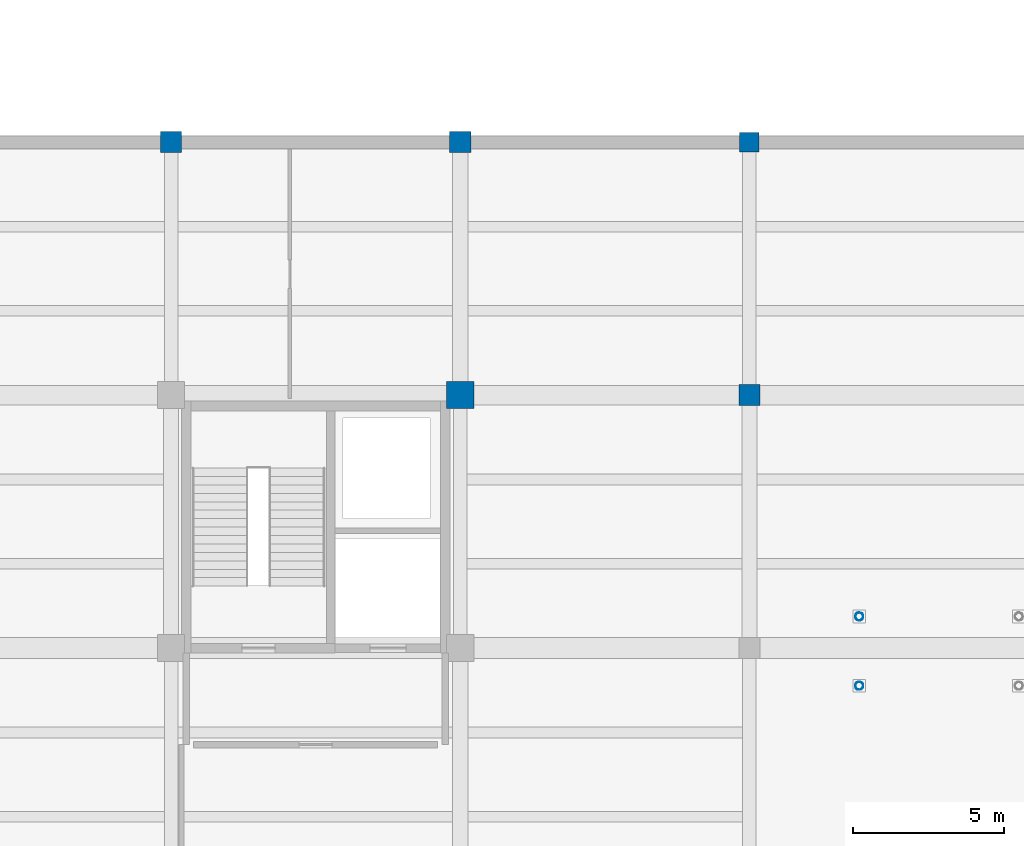
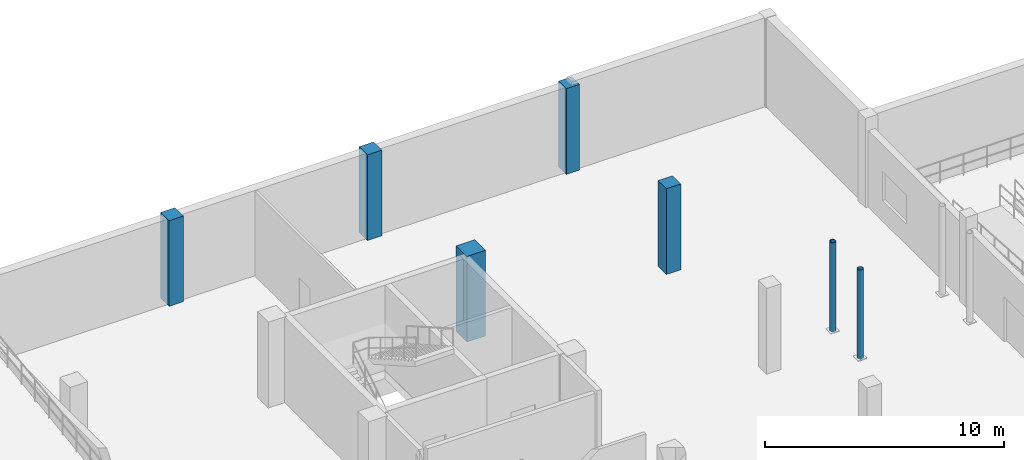
# One storey, part 3 of 30: 7 columns.
"""IFC4 building model written with IfcOpenShell, lengths in metres."""

from ifc_helpers import new_model, si_unit, direction, frame, origin, origin_2d, place, context, subcontext, project, spatial, rectangle, hollow_circle, extrude, material, material_profile, profile_set, type_object, element, save


model = new_model("IFC4")

# Units and contexts
model_context = context("Model", 3, precision=1e-05, world=origin(), true_north=direction((0.0, 1.0)))
body_context = subcontext(model_context, "Body", "Model", "MODEL_VIEW")
ifc_project = project(units=[si_unit("LENGTHUNIT", "METRE"), si_unit("AREAUNIT", "SQUARE_METRE"), si_unit("VOLUMEUNIT", "CUBIC_METRE"), si_unit("PLANEANGLEUNIT", "RADIAN"), si_unit("MASSUNIT", "GRAM", prefix="KILO")], contexts=[model_context])

# Site, building, storey
site_placement = place(None, origin())
site = spatial("IfcSite", under=ifc_project, at=site_placement, CompositionType="ELEMENT")
building_placement = place(site_placement, origin())
building = spatial("IfcBuilding", under=site, at=building_placement, Name="Lornevale Opera House", CompositionType="ELEMENT")
storey_placement = place(building_placement, frame((0.0, 0.0, -4.800048828125)))
storey = spatial("IfcBuildingStorey", under=building, at=storey_placement, Name="B1", CompositionType="ELEMENT", Elevation=-4.800048828125)

# Columns
ifc_material_1 = material(Name="Concrete 40 MPa (CSA A23.1 C-1)", Category="concrete")
ifc_material_profile_1 = material_profile(ifc_material_1, rectangle(XDim=0.64990234375, YDim=0.64990234375, at=origin_2d()), Name="RC650x650")
ifc_profile_set_1 = profile_set([ifc_material_profile_1], Name="Concrete 40 MPa (CSA A23.1 C-1)")
column_type_1 = type_object("IfcColumnType", Name="Concrete Column 650x650", PredefinedType="COLUMN", material=ifc_profile_set_1)
column_1_placement = place(storey_placement, frame((153.60009765625, 84.0, 0.0), z_axis=(0.0, 0.0, 1.0), x_axis=(1.0, 0.0, 0.0)))
element("IfcColumn", 1, at=column_1_placement, inside=storey, type_object=column_type_1, Name="Concrete Column 650x650 1073", PredefinedType="COLUMN", context=body_context, shape_type="SweptSolid", body=[
    extrude(rectangle(XDim=0.64990234375, YDim=0.64990234375, at=origin_2d()), origin(), (0.0, 0.0, 1.0), 4.380126953125),
])
ifc_material_profile_2 = material_profile(ifc_material_1, rectangle(XDim=0.699951171875, YDim=0.699951171875, at=origin_2d()), Name="RC700x700")
ifc_profile_set_2 = profile_set([ifc_material_profile_2], Name="Concrete 40 MPa (CSA A23.1 C-1)")
column_type_2 = type_object("IfcColumnType", Name="Concrete Column 700x700", PredefinedType="COLUMN", material=ifc_profile_set_2)
for number, where, z_axis, x_axis, name in (
    (2, (134.39990234375, 84.0, 0.0), (0.0, 0.0, 1.0), (1.0, 0.0, 0.0), "Concrete Column 700x700 0971"),
    (3, (144.0, 84.0, 0.0), (0.0, 0.0, 1.0), (1.0, 0.0, 0.0), "Concrete Column 700x700 1034"),
    (4, (153.60009765625, 75.60009765625, 0.0), (0.0, 0.0, 1.0), (1.0, 0.0, 0.0), "Concrete Column 700x700 1069"),
):
    element("IfcColumn", number, at=place(storey_placement, frame(where, z_axis=z_axis, x_axis=x_axis)), inside=storey, type_object=column_type_2, Name=name, PredefinedType="COLUMN", context=body_context, shape_type="SweptSolid", body=[
        extrude(rectangle(XDim=0.699951171875, YDim=0.699951171875, at=origin_2d()), origin(), (0.0, 0.0, 1.0), 4.380126953125),
    ])
ifc_material_profile_3 = material_profile(ifc_material_1, rectangle(XDim=0.89990234375, YDim=0.89990234375, at=origin_2d()), Name="RC900x900")
ifc_profile_set_3 = profile_set([ifc_material_profile_3], Name="Concrete 40 MPa (CSA A23.1 C-1)")
column_type_3 = type_object("IfcColumnType", Name="Concrete Column 900x900", PredefinedType="COLUMN", material=ifc_profile_set_3)
column_2_placement = place(storey_placement, frame((144.0, 75.60009765625, 0.0), z_axis=(0.0, 0.0, 1.0), x_axis=(1.0, 0.0, 0.0)))
element("IfcColumn", 5, at=column_2_placement, inside=storey, type_object=column_type_3, Name="Concrete Column 900x900 1026", PredefinedType="COLUMN", context=body_context, shape_type="SweptSolid", body=[
    extrude(rectangle(XDim=0.89990234375, YDim=0.89990234375, at=origin_2d()), origin(), (0.0, 0.0, 1.0), 4.380126953125),
])
ifc_material_2 = material(Name="Structural Steel CSA G40.21 Grade 350W (350 MPa)", Category="steel")
ifc_material_profile_4 = material_profile(ifc_material_2, hollow_circle(Radius=0.136474609375, WallThickness=0.010986328125, at=origin_2d()), Name="HSS273x11")
ifc_profile_set_4 = profile_set([ifc_material_profile_4], Name="Structural Steel CSA G40.21 Grade 350W (350 MPa)")
column_type_4 = type_object("IfcColumnType", Name="Promenade Ramp Mast HSS273x11", PredefinedType="COLUMN", material=ifc_profile_set_4)
for number, where, z_axis, x_axis, name in (
    (6, (157.25, 65.949951171875, 0.0), (0.0, 0.0, 1.0), (1.0, 0.0, 0.0), "Parterre Ramp Mast B1 1139"),
    (7, (157.25, 68.25, 0.0), (0.0, 0.0, 1.0), (1.0, 0.0, 0.0), "Parterre Ramp Mast B1 1142"),
):
    element("IfcColumn", number, at=place(storey_placement, frame(where, z_axis=z_axis, x_axis=x_axis)), inside=storey, type_object=column_type_4, Name=name, PredefinedType="COLUMN", context=body_context, shape_type="SweptSolid", body=[
        extrude(hollow_circle(Radius=0.136474609375, WallThickness=0.010986328125, at=origin_2d()), origin(), (0.0, 0.0, 1.0), 4.56005859375),
    ])

save(model, "model.ifc")
